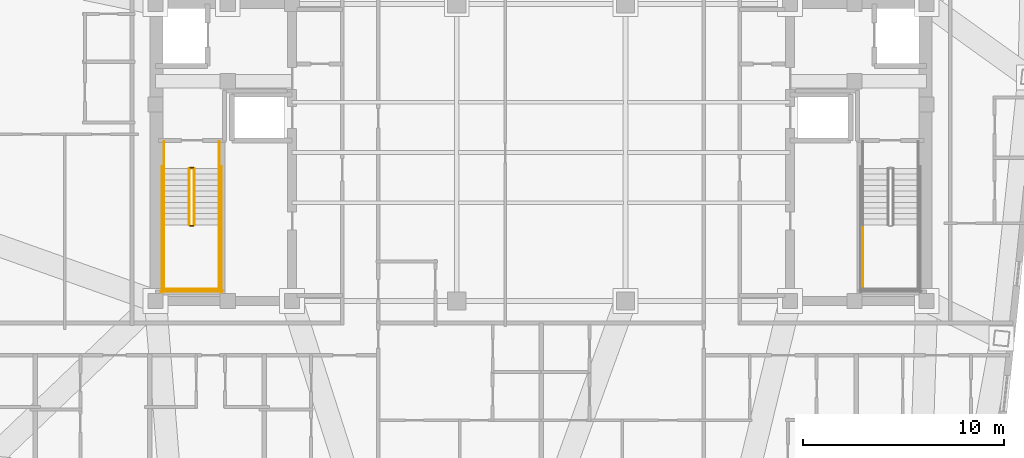
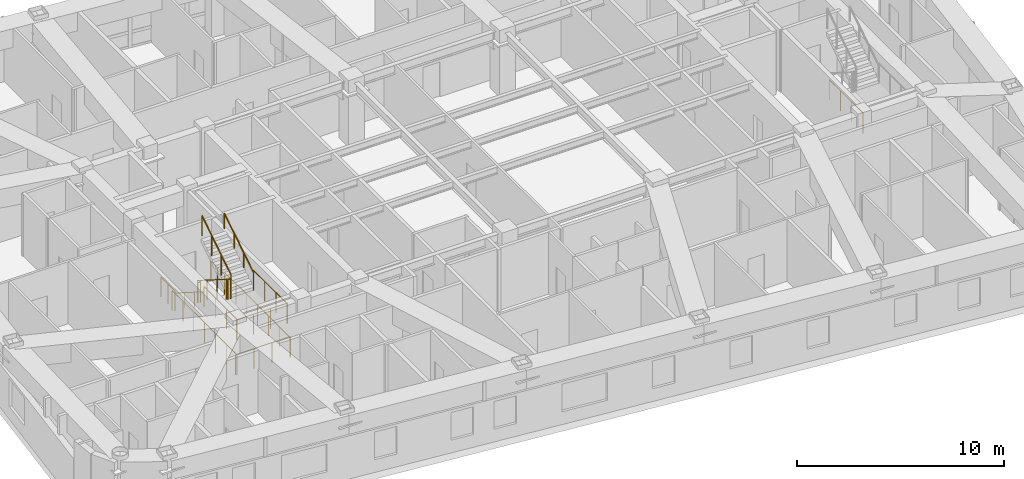
# One storey, part 15 of 16: 15 railings.
"""IFC4 building model written with IfcOpenShell, lengths in metres."""

from ifc_helpers import new_model, si_unit, direction, frame, origin, origin_2d, place, context, subcontext, project, spatial, circle, extrude, material, type_object, element, save


model = new_model("IFC4")

# Units and contexts
model_context = context("Model", 3, precision=1e-05, world=origin(), true_north=direction((0.0, 1.0)))
body_context = subcontext(model_context, "Body", "Model", "MODEL_VIEW")
ifc_project = project(units=[si_unit("LENGTHUNIT", "METRE"), si_unit("AREAUNIT", "SQUARE_METRE"), si_unit("VOLUMEUNIT", "CUBIC_METRE"), si_unit("PLANEANGLEUNIT", "RADIAN"), si_unit("MASSUNIT", "GRAM", prefix="KILO")], contexts=[model_context])

# Site, building, storey
site_placement = place(None, origin())
site = spatial("IfcSite", under=ifc_project, at=site_placement, CompositionType="ELEMENT")
building_placement = place(site_placement, origin())
building = spatial("IfcBuilding", under=site, at=building_placement, Name="Voryun Gate Residences", CompositionType="ELEMENT")
storey_placement = place(building_placement, frame((0.0, 0.0, 260.0)))
storey = spatial("IfcBuildingStorey", under=building, at=storey_placement, Name="L64", CompositionType="ELEMENT", Elevation=260.0)

# Railings
ifc_material_1 = material(Name="Painted steel", Category="steel")
railing_type_1 = type_object("IfcRailingType", Name="RAIL_STAIR_GUARD_1200", PredefinedType="GUARDRAIL", material=ifc_material_1)
railing_1_placement = place(storey_placement, frame((-17.52490234375, -0.800048828125, 0.17724609375)))
element("IfcRailing", 1, at=railing_1_placement, inside=storey, type_object=railing_type_1, Name="L64 ST-W1 stair guard 1", PredefinedType="GUARDRAIL", context=body_context, shape_type="SweptSolid", body=[
    extrude(circle(Radius=0.02392578125, at=origin_2d()), frame((0.0, 0.0, 1.17578125), z_axis=(0.0, -0.844908973607, 0.534910110503), x_axis=(1.0, 0.0, 0.0)), (0.0, 0.0, 1.0), 3.31396484375),
    extrude(circle(Radius=0.02099609375, at=origin_2d()), origin(), (0.0, 0.0, 1.0), 1.15185546875),
    extrude(circle(Radius=0.02099609375, at=origin_2d()), frame((0.0, -0.933349609375, 0.5908203125)), (0.0, 0.0, 1.0), 1.15185546875),
    extrude(circle(Radius=0.02099609375, at=origin_2d()), frame((0.0, -1.86669921875, 1.181884765625)), (0.0, 0.0, 1.0), 1.15185546875),
    extrude(circle(Radius=0.02099609375, at=origin_2d()), frame((0.0, -2.800048828125, 1.772705078125)), (0.0, 0.0, 1.0), 1.15185546875),
])
railing_2_placement = place(storey_placement, frame((-17.47509765625, -3.64990234375, 1.949951171875)))
element("IfcRailing", 2, at=railing_2_placement, inside=storey, type_object=railing_type_1, Name="L64 ST-W1 stair guard 2", PredefinedType="GUARDRAIL", context=body_context, shape_type="SweptSolid", body=[
    extrude(circle(Radius=0.02392578125, at=origin_2d()), frame((0.0, 0.0, 1.17578125), z_axis=(1.0, 0.0, 0.0), x_axis=(0.0, 1.0, 0.0)), (0.0, 0.0, 1.0), 0.150146484375),
    extrude(circle(Radius=0.02099609375, at=origin_2d()), origin(), (0.0, 0.0, 1.0), 1.15185546875),
    extrude(circle(Radius=0.02099609375, at=origin_2d()), frame((0.150146484375, 0.0, 0.0)), (0.0, 0.0, 1.0), 1.15185546875),
])
for number, where, name in (
    (3, (-18.77490234375, -3.60009765625, 1.949951171875), "L64 ST-W1 stair guard 3"),
    (4, (-16.02490234375, -3.60009765625, 1.949951171875), "L64 ST-W1 stair guard 4"),
):
    element("IfcRailing", number, at=place(storey_placement, frame(where)), inside=storey, type_object=railing_type_1, Name=name, PredefinedType="GUARDRAIL", context=body_context, shape_type="SweptSolid", body=[
        extrude(circle(Radius=0.02392578125, at=origin_2d()), frame((0.0, 0.0, 1.17578125), z_axis=(0.0, -1.0, 0.0), x_axis=(1.0, 0.0, 0.0)), (0.0, 0.0, 1.0), 3.25),
        extrude(circle(Radius=0.02099609375, at=origin_2d()), origin(), (0.0, 0.0, 1.0), 1.15185546875),
        extrude(circle(Radius=0.02099609375, at=origin_2d()), frame((0.0, -1.083251953125, 0.0)), (0.0, 0.0, 1.0), 1.15185546875),
        extrude(circle(Radius=0.02099609375, at=origin_2d()), frame((0.0, -2.166748046875, 0.0)), (0.0, 0.0, 1.0), 1.15185546875),
        extrude(circle(Radius=0.02099609375, at=origin_2d()), frame((0.0, -3.25, 0.0)), (0.0, 0.0, 1.0), 1.15185546875),
    ])
railing_3_placement = place(storey_placement, frame((-18.824951171875, -6.800048828125, 1.949951171875)))
element("IfcRailing", 5, at=railing_3_placement, inside=storey, type_object=railing_type_1, Name="L64 ST-W1 stair guard 5", PredefinedType="GUARDRAIL", context=body_context, shape_type="SweptSolid", body=[
    extrude(circle(Radius=0.02392578125, at=origin_2d()), frame((0.0, 0.0, 1.17578125), z_axis=(1.0, 0.0, 0.0), x_axis=(0.0, 1.0, 0.0)), (0.0, 0.0, 1.0), 2.849853515625),
    extrude(circle(Radius=0.02099609375, at=origin_2d()), origin(), (0.0, 0.0, 1.0), 1.15185546875),
    extrude(circle(Radius=0.02099609375, at=origin_2d()), frame((0.949951171875, 0.0, 0.0)), (0.0, 0.0, 1.0), 1.15185546875),
    extrude(circle(Radius=0.02099609375, at=origin_2d()), frame((1.89990234375, 0.0, 0.0)), (0.0, 0.0, 1.0), 1.15185546875),
    extrude(circle(Radius=0.02099609375, at=origin_2d()), frame((2.849853515625, 0.0, 0.0)), (0.0, 0.0, 1.0), 1.15185546875),
])
railing_4_placement = place(storey_placement, frame((-17.27490234375, -3.60009765625, 2.127197265625)))
element("IfcRailing", 6, at=railing_4_placement, inside=storey, type_object=railing_type_1, Name="L64 ST-W1 stair guard 6", PredefinedType="GUARDRAIL", context=body_context, shape_type="SweptSolid", body=[
    extrude(circle(Radius=0.02392578125, at=origin_2d()), frame((0.0, 0.0, 1.17578125), z_axis=(0.0, 0.844908973607, 0.534910110503), x_axis=(-1.0, 0.0, 0.0)), (0.0, 0.0, 1.0), 3.31396484375),
    extrude(circle(Radius=0.02099609375, at=origin_2d()), origin(), (0.0, 0.0, 1.0), 1.15185546875),
    extrude(circle(Radius=0.02099609375, at=origin_2d()), frame((0.0, 0.933349609375, 0.5908203125)), (0.0, 0.0, 1.0), 1.15185546875),
    extrude(circle(Radius=0.02099609375, at=origin_2d()), frame((0.0, 1.86669921875, 1.181884765625)), (0.0, 0.0, 1.0), 1.15185546875),
    extrude(circle(Radius=0.02099609375, at=origin_2d()), frame((0.0, 2.800048828125, 1.772705078125)), (0.0, 0.0, 1.0), 1.15185546875),
])
railing_5_placement = place(storey_placement, frame((-17.47509765625, -0.75, 0.0)))
element("IfcRailing", 7, at=railing_5_placement, inside=storey, type_object=railing_type_1, Name="L64 ST-W1 stair guard 7", PredefinedType="GUARDRAIL", context=body_context, shape_type="SweptSolid", body=[
    extrude(circle(Radius=0.02392578125, at=origin_2d()), frame((0.0, 0.0, 1.17578125), z_axis=(1.0, 0.0, 0.0), x_axis=(0.0, 1.0, 0.0)), (0.0, 0.0, 1.0), 0.150146484375),
    extrude(circle(Radius=0.02099609375, at=origin_2d()), origin(), (0.0, 0.0, 1.0), 1.15185546875),
    extrude(circle(Radius=0.02099609375, at=origin_2d()), frame((0.150146484375, 0.0, 0.0)), (0.0, 0.0, 1.0), 1.15185546875),
])
for number, where, name in (
    (8, (-18.77490234375, 0.550048828125, 0.0), "L64 ST-W1 stair guard 8"),
    (9, (-16.02490234375, 0.550048828125, 0.0), "L64 ST-W1 stair guard 9"),
):
    element("IfcRailing", number, at=place(storey_placement, frame(where)), inside=storey, type_object=railing_type_1, Name=name, PredefinedType="GUARDRAIL", context=body_context, shape_type="SweptSolid", body=[
        extrude(circle(Radius=0.02392578125, at=origin_2d()), frame((0.0, 0.0, 1.17578125), z_axis=(0.0, -1.0, 0.0), x_axis=(1.0, 0.0, 0.0)), (0.0, 0.0, 1.0), 1.35009765625),
        extrude(circle(Radius=0.02099609375, at=origin_2d()), origin(), (0.0, 0.0, 1.0), 1.15185546875),
        extrude(circle(Radius=0.02099609375, at=origin_2d()), frame((0.0, -0.675048828125, 0.0)), (0.0, 0.0, 1.0), 1.15185546875),
        extrude(circle(Radius=0.02099609375, at=origin_2d()), frame((0.0, -1.35009765625, 0.0)), (0.0, 0.0, 1.0), 1.15185546875),
    ])
for number, where, name in (
    (10, (-18.875, -0.699951171875, 0.0), "L64 ST-W1 stair guard 10"),
    (11, (-15.925048828125, -0.699951171875, 0.0), "L64 ST-W1 stair guard 11"),
):
    element("IfcRailing", number, at=place(storey_placement, frame(where)), inside=storey, type_object=railing_type_1, Name=name, PredefinedType="GUARDRAIL", context=body_context, shape_type="SweptSolid", body=[
        extrude(circle(Radius=0.02392578125, at=origin_2d()), frame((0.0, 0.0, 1.17578125), z_axis=(0.0, -1.0, 0.0), x_axis=(1.0, 0.0, 0.0)), (0.0, 0.0, 1.0), 6.25),
        extrude(circle(Radius=0.02099609375, at=origin_2d()), origin(), (0.0, 0.0, 1.0), 1.15185546875),
        extrude(circle(Radius=0.02099609375, at=origin_2d()), frame((0.0, -1.041748046875, 0.0)), (0.0, 0.0, 1.0), 1.15185546875),
        extrude(circle(Radius=0.02099609375, at=origin_2d()), frame((0.0, -2.083251953125, 0.0)), (0.0, 0.0, 1.0), 1.15185546875),
        extrude(circle(Radius=0.02099609375, at=origin_2d()), frame((0.0, -3.125, 0.0)), (0.0, 0.0, 1.0), 1.15185546875),
        extrude(circle(Radius=0.02099609375, at=origin_2d()), frame((0.0, -4.166748046875, 0.0)), (0.0, 0.0, 1.0), 1.15185546875),
        extrude(circle(Radius=0.02099609375, at=origin_2d()), frame((0.0, -5.208251953125, 0.0)), (0.0, 0.0, 1.0), 1.15185546875),
        extrude(circle(Radius=0.02099609375, at=origin_2d()), frame((0.0, -6.25, 0.0)), (0.0, 0.0, 1.0), 1.15185546875),
    ])
railing_6_placement = place(storey_placement, frame((-18.925048828125, -6.89990234375, 0.0)))
element("IfcRailing", 12, at=railing_6_placement, inside=storey, type_object=railing_type_1, Name="L64 ST-W1 stair guard 12", PredefinedType="GUARDRAIL", context=body_context, shape_type="SweptSolid", body=[
    extrude(circle(Radius=0.02392578125, at=origin_2d()), frame((0.0, 0.0, 1.17578125), z_axis=(1.0, 0.0, 0.0), x_axis=(0.0, 1.0, 0.0)), (0.0, 0.0, 1.0), 3.050048828125),
    extrude(circle(Radius=0.02099609375, at=origin_2d()), origin(), (0.0, 0.0, 1.0), 1.15185546875),
    extrude(circle(Radius=0.02099609375, at=origin_2d()), frame((1.0166015625, 0.0, 0.0)), (0.0, 0.0, 1.0), 1.15185546875),
    extrude(circle(Radius=0.02099609375, at=origin_2d()), frame((2.033447265625, 0.0, 0.0)), (0.0, 0.0, 1.0), 1.15185546875),
    extrude(circle(Radius=0.02099609375, at=origin_2d()), frame((3.050048828125, 0.0, 0.0)), (0.0, 0.0, 1.0), 1.15185546875),
])
railing_7_placement = place(storey_placement, frame((16.02490234375, -3.60009765625, 1.949951171875)))
element("IfcRailing", 13, at=railing_7_placement, inside=storey, type_object=railing_type_1, Name="L64 ST-E1 stair guard 3", PredefinedType="GUARDRAIL", context=body_context, shape_type="SweptSolid", body=[
    extrude(circle(Radius=0.02392578125, at=origin_2d()), frame((0.0, 0.0, 1.17578125), z_axis=(0.0, -1.0, 0.0), x_axis=(1.0, 0.0, 0.0)), (0.0, 0.0, 1.0), 3.25),
    extrude(circle(Radius=0.02099609375, at=origin_2d()), origin(), (0.0, 0.0, 1.0), 1.15185546875),
    extrude(circle(Radius=0.02099609375, at=origin_2d()), frame((0.0, -1.083251953125, 0.0)), (0.0, 0.0, 1.0), 1.15185546875),
    extrude(circle(Radius=0.02099609375, at=origin_2d()), frame((0.0, -2.166748046875, 0.0)), (0.0, 0.0, 1.0), 1.15185546875),
    extrude(circle(Radius=0.02099609375, at=origin_2d()), frame((0.0, -3.25, 0.0)), (0.0, 0.0, 1.0), 1.15185546875),
])
ifc_material_2 = material(Name="Painted steel", Category="steel")
railing_type_2 = type_object("IfcRailingType", Name="RAIL_STAIR_HANDRAIL_900", PredefinedType="HANDRAIL", material=ifc_material_2)
railing_8_placement = place(storey_placement, frame((-18.77490234375, -0.800048828125, 0.17724609375)))
element("IfcRailing", 14, at=railing_8_placement, inside=storey, type_object=railing_type_2, Name="L64 ST-W1 stair handrail 1", PredefinedType="HANDRAIL", context=body_context, shape_type="SweptSolid", body=[
    extrude(circle(Radius=0.02392578125, at=origin_2d()), frame((0.0, 0.0, 0.8759765625), z_axis=(0.0, -0.844908973607, 0.534910110503), x_axis=(1.0, 0.0, 0.0)), (0.0, 0.0, 1.0), 3.31396484375),
    extrude(circle(Radius=0.02099609375, at=origin_2d()), origin(), (0.0, 0.0, 1.0), 0.851806640625),
    extrude(circle(Radius=0.02099609375, at=origin_2d()), frame((0.0, -0.933349609375, 0.5908203125)), (0.0, 0.0, 1.0), 0.851806640625),
    extrude(circle(Radius=0.02099609375, at=origin_2d()), frame((0.0, -1.86669921875, 1.181884765625)), (0.0, 0.0, 1.0), 0.851806640625),
    extrude(circle(Radius=0.02099609375, at=origin_2d()), frame((0.0, -2.800048828125, 1.772705078125)), (0.0, 0.0, 1.0), 0.851806640625),
])
railing_9_placement = place(storey_placement, frame((-16.02490234375, -3.60009765625, 2.127197265625)))
element("IfcRailing", 15, at=railing_9_placement, inside=storey, type_object=railing_type_2, Name="L64 ST-W1 stair handrail 2", PredefinedType="HANDRAIL", context=body_context, shape_type="SweptSolid", body=[
    extrude(circle(Radius=0.02392578125, at=origin_2d()), frame((0.0, 0.0, 0.8759765625), z_axis=(0.0, 0.844908973607, 0.534910110503), x_axis=(-1.0, 0.0, 0.0)), (0.0, 0.0, 1.0), 3.31396484375),
    extrude(circle(Radius=0.02099609375, at=origin_2d()), origin(), (0.0, 0.0, 1.0), 0.851806640625),
    extrude(circle(Radius=0.02099609375, at=origin_2d()), frame((0.0, 0.933349609375, 0.5908203125)), (0.0, 0.0, 1.0), 0.851806640625),
    extrude(circle(Radius=0.02099609375, at=origin_2d()), frame((0.0, 1.86669921875, 1.181884765625)), (0.0, 0.0, 1.0), 0.851806640625),
    extrude(circle(Radius=0.02099609375, at=origin_2d()), frame((0.0, 2.800048828125, 1.772705078125)), (0.0, 0.0, 1.0), 0.851806640625),
])

save(model, "model.ifc")
